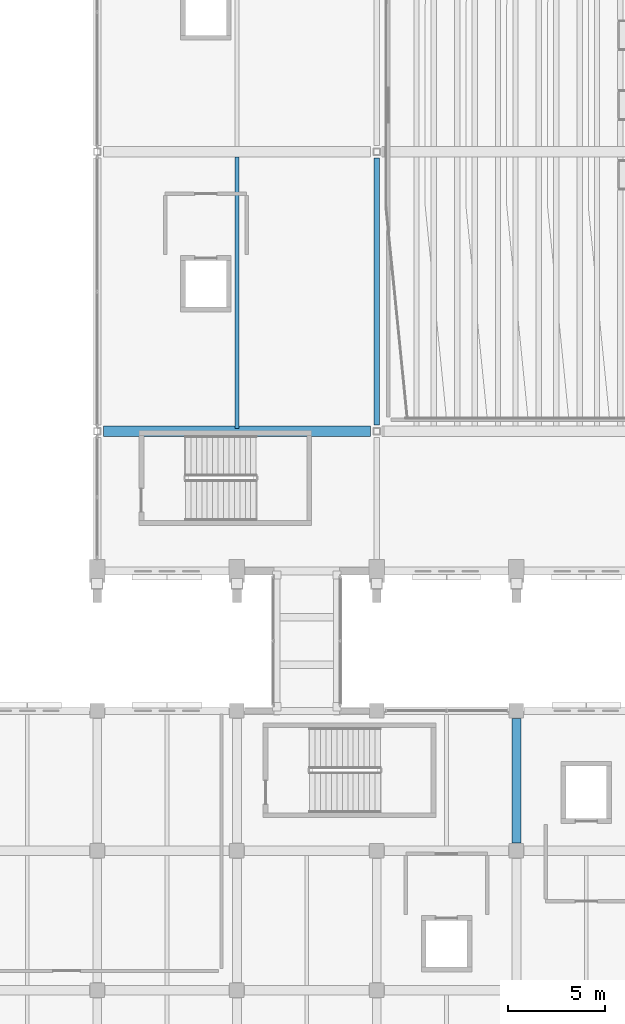
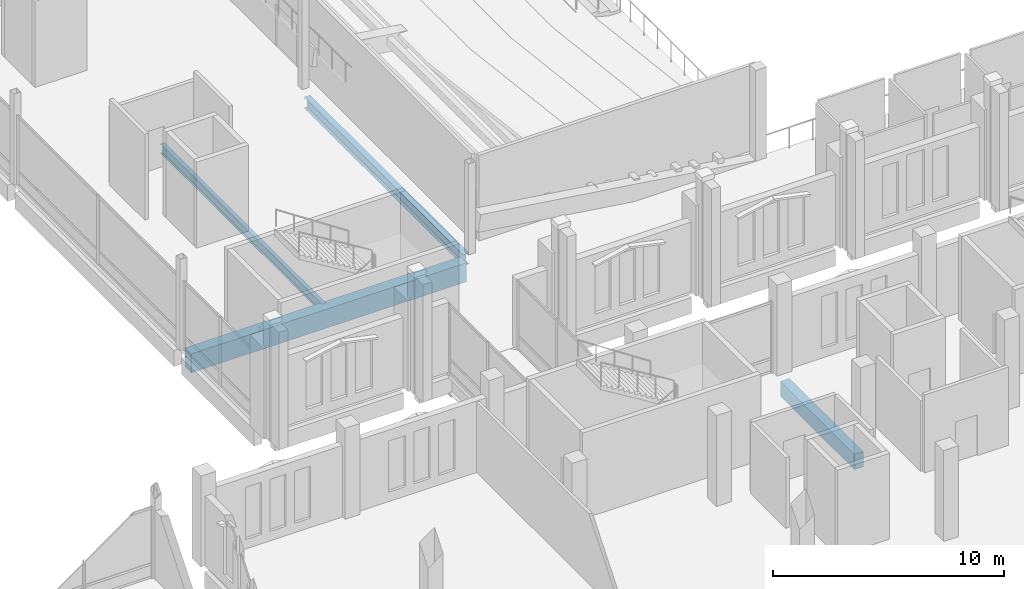
# One storey, part 71 of 193: 4 beams.
"""IFC4 building model written with IfcOpenShell, lengths in metres."""

from ifc_helpers import new_model, si_unit, direction, frame, origin, origin_2d, place, context, subcontext, project, spatial, rectangle, i_section, extrude, material, material_profile, profile_set, type_object, element, save


model = new_model("IFC4")

# Units and contexts
model_context = context("Model", 3, precision=1e-05, world=origin(), true_north=direction((0.0, 1.0)))
body_context = subcontext(model_context, "Body", "Model", "MODEL_VIEW")
ifc_project = project(units=[si_unit("LENGTHUNIT", "METRE"), si_unit("AREAUNIT", "SQUARE_METRE"), si_unit("VOLUMEUNIT", "CUBIC_METRE"), si_unit("PLANEANGLEUNIT", "RADIAN"), si_unit("MASSUNIT", "GRAM", prefix="KILO")], contexts=[model_context])

# Site, building, storey
site_placement = place(None, origin())
site = spatial("IfcSite", under=ifc_project, at=site_placement, CompositionType="ELEMENT")
building_placement = place(site_placement, origin())
building = spatial("IfcBuilding", under=site, at=building_placement, Name="Cendralis Lancet Convention Centre", CompositionType="ELEMENT")
storey_placement = place(building_placement, frame((0.0, 0.0, 10.199951171875)))
storey = spatial("IfcBuildingStorey", under=building, at=storey_placement, Name="L02", CompositionType="ELEMENT", Elevation=10.199951171875)

# Beams
ifc_material_1 = material(Name="Concrete G40 (C40/50)", Category="concrete")
ifc_material_profile_1 = material_profile(ifc_material_1, rectangle(XDim=0.550048828125, YDim=1.0, at=origin_2d()), Name="RCB 550x1000")
ifc_profile_set_1 = profile_set([ifc_material_profile_1], Name="Concrete G40 (C40/50)")
beam_type_1 = type_object("IfcBeamType", Name="STR-BM-BG05", PredefinedType="BEAM", material=ifc_profile_set_1)
beam_1_placement = place(storey_placement, frame((139.52490234375, 50.39990234375, -0.800048828125), z_axis=(1.0, 0.0, 0.0), x_axis=(0.0, 1.0, 0.0)))
element("IfcBeam", 1, at=beam_1_placement, inside=storey, type_object=beam_type_1, Name="L02 Beam BG05 #1467", PredefinedType="BEAM", context=body_context, shape_type="SweptSolid", body=[
    extrude(rectangle(XDim=0.550048828125, YDim=1.0, at=origin_2d()), origin(), (0.0, 0.0, 1.0), 13.75),
])
ifc_material_2 = material(Name="Concrete G35 (C35/45)", Category="concrete")
ifc_material_profile_2 = material_profile(ifc_material_2, rectangle(XDim=0.449951171875, YDim=0.800048828125, at=origin_2d()), Name="RCB 450x800")
ifc_profile_set_2 = profile_set([ifc_material_profile_2], Name="Concrete G35 (C35/45)")
beam_type_2 = type_object("IfcBeamType", Name="STR-BM-BG10", PredefinedType="BEAM", material=ifc_profile_set_2)
beam_2_placement = place(storey_placement, frame((160.800048828125, 29.199951171875, -0.699951171875), z_axis=(0.0, 1.0, 0.0), x_axis=(-1.0, 0.0, 0.0)))
element("IfcBeam", 2, at=beam_2_placement, inside=storey, type_object=beam_type_2, Name="L02 Beam BG10 #0321", PredefinedType="BEAM", context=body_context, shape_type="SweptSolid", body=[
    extrude(rectangle(XDim=0.449951171875, YDim=0.800048828125, at=origin_2d()), origin(), (0.0, 0.0, 1.0), 6.400146484375),
])
ifc_material_3 = material(Name="Steel S355", Category="steel")
ifc_material_profile_3 = material_profile(ifc_material_3, i_section(OverallWidth=0.300048828125, OverallDepth=0.590087890625, WebThickness=0.012939453125, FlangeThickness=0.02490234375, FilletRadius=0.027099609375, at=origin_2d()), Name="HEA 600")
ifc_profile_set_3 = profile_set([ifc_material_profile_3], Name="Steel S355")
beam_type_3 = type_object("IfcBeamType", Name="STR-BM-SG10", PredefinedType="BEAM", material=ifc_profile_set_3)
beam_3_placement = place(storey_placement, frame((153.60009765625, 50.72509765625, -0.594970703125), z_axis=(0.0, 1.0, 0.0), x_axis=(-1.0, 0.0, 0.0)))
element("IfcBeam", 3, at=beam_3_placement, inside=storey, type_object=beam_type_3, Name="L02 Beam SG10 #1483", PredefinedType="BEAM", context=body_context, shape_type="SweptSolid", body=[
    extrude(i_section(OverallWidth=0.300048828125, OverallDepth=0.590087890625, WebThickness=0.012939453125, FlangeThickness=0.02490234375, FilletRadius=0.027099609375, at=origin_2d()), origin(), (0.0, 0.0, 1.0), 13.75),
])
ifc_material_profile_4 = material_profile(ifc_material_3, i_section(OverallWidth=0.199951171875, OverallDepth=0.5, WebThickness=0.01025390625, FlangeThickness=0.01611328125, FilletRadius=0.02099609375, at=origin_2d()), Name="IPE 500")
ifc_profile_set_4 = profile_set([ifc_material_profile_4], Name="Steel S355")
beam_type_4 = type_object("IfcBeamType", Name="STR-JS-BJ06", PredefinedType="JOIST", material=ifc_profile_set_4)
beam_4_placement = place(storey_placement, frame((146.39990234375, 50.550048828125, -0.550048828125), z_axis=(0.0, 1.0, 0.0), x_axis=(-1.0, 0.0, 0.0)))
element("IfcBeam", 4, at=beam_4_placement, inside=storey, type_object=beam_type_4, Name="L02 Beam BJ06 #1497", PredefinedType="JOIST", context=body_context, shape_type="SweptSolid", body=[
    extrude(i_section(OverallWidth=0.199951171875, OverallDepth=0.5, WebThickness=0.01025390625, FlangeThickness=0.01611328125, FilletRadius=0.02099609375, at=origin_2d()), origin(), (0.0, 0.0, 1.0), 13.974853515625),
])

save(model, "model.ifc")
